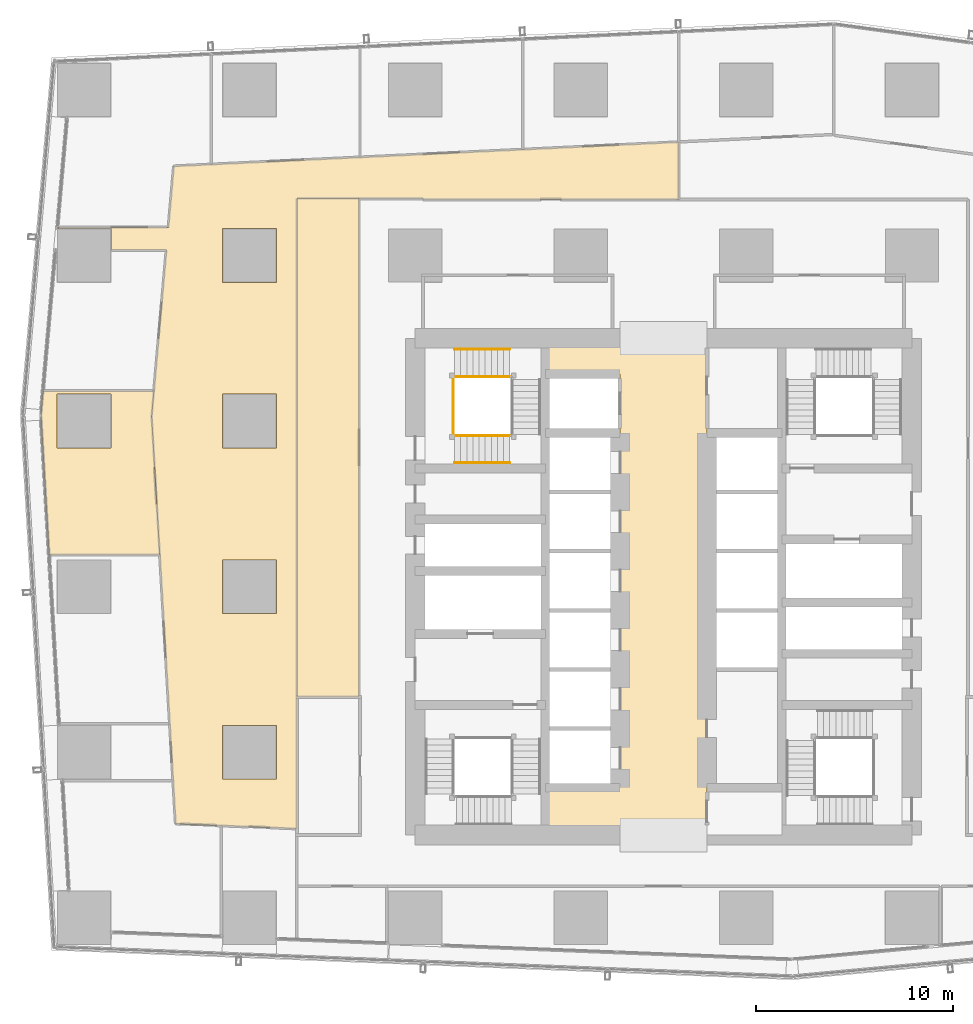
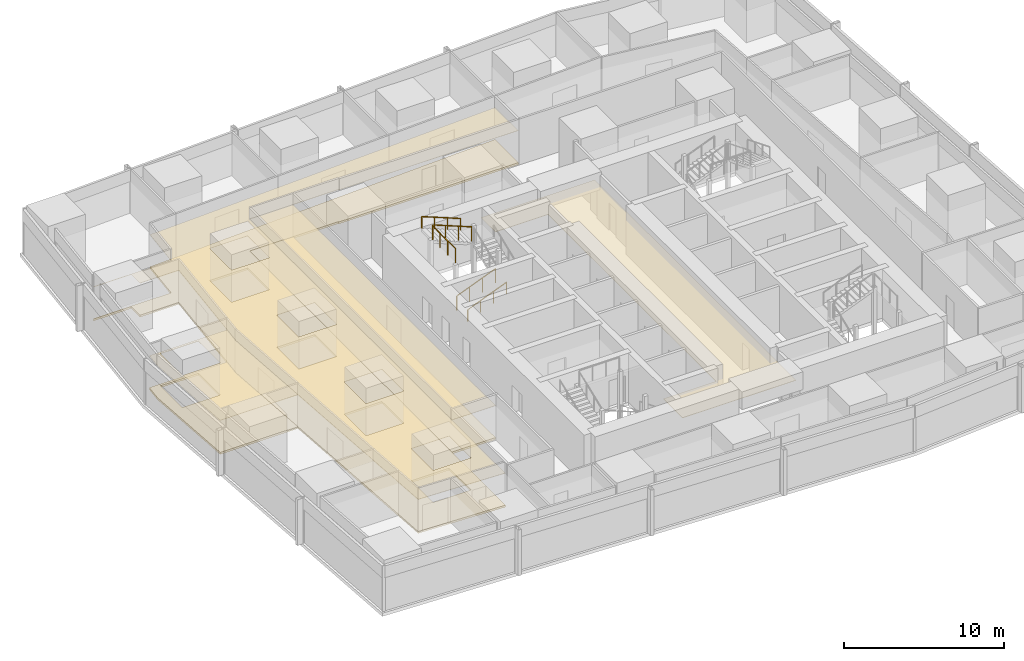
# One storey, part 30 of 36: 7 coverings, 5 railings.
"""IFC4 building model written with IfcOpenShell, lengths in metres."""

from ifc_helpers import new_model, si_unit, direction, frame, origin, origin_2d, place, context, subcontext, project, spatial, polyline, circle, outline, extrude, material, layer, layer_set, type_object, element, save


model = new_model("IFC4")

# Units and contexts
model_context = context("Model", 3, precision=1e-05, world=origin(), true_north=direction((0.0, 1.0)))
body_context = subcontext(model_context, "Body", "Model", "MODEL_VIEW")
ifc_project = project(units=[si_unit("LENGTHUNIT", "METRE"), si_unit("AREAUNIT", "SQUARE_METRE"), si_unit("VOLUMEUNIT", "CUBIC_METRE"), si_unit("PLANEANGLEUNIT", "RADIAN"), si_unit("MASSUNIT", "GRAM", prefix="KILO")], contexts=[model_context])

# Site, building, storey
site_placement = place(None, origin())
site = spatial("IfcSite", under=ifc_project, at=site_placement, CompositionType="ELEMENT")
building_placement = place(site_placement, origin())
building = spatial("IfcBuilding", under=site, at=building_placement, Name="Rekha Terrace Tower", CompositionType="ELEMENT")
storey_placement = place(building_placement, frame((0.0, 0.0, 172.699951171875)))
storey = spatial("IfcBuildingStorey", under=building, at=storey_placement, Name="L43", CompositionType="ELEMENT", Elevation=172.699951171875)

# Coverings
ifc_material_1 = material(Name="Mineral fibre tile in exposed grid", Category="finish")
ifc_layer_1 = layer(ifc_material_1, 0.02001953125)
ifc_layer_set_1 = layer_set([ifc_layer_1], Name="Mineral fibre tile in exposed grid")
covering_type_1 = type_object("IfcCoveringType", Name="CL1 600x1200 office grid ceiling", PredefinedType="CEILING", material=ifc_layer_set_1)
covering_1_placement = place(storey_placement, frame((0.0, 0.0, 2.580078125)))
element("IfcCovering", 1, at=covering_1_placement, inside=storey, type_object=covering_type_1, Name="Ceiling L43-14", PredefinedType="CEILING", context=body_context, shape_type="SweptSolid", body=[
    extrude(outline(polyline([(6.212890625, 42.31396484375), (6.631103515625, 35.208984375), (12.240966796875, 35.208984375), (11.827880859375, 42.23193359375), (11.943115234375, 43.5400390625), (6.321044921875, 43.5400390625), (6.212890625, 42.31396484375)]), holes=[polyline([(9.764892578125, 40.635009765625), (7.034912109375, 40.635009765625), (7.034912109375, 43.364990234375), (9.764892578125, 43.364990234375), (9.764892578125, 40.635009765625)])]), origin(), (0.0, 0.0, 1.0), 0.02001953125),
])
covering_2_placement = place(storey_placement, frame((0.0, 0.0, 2.580078125)))
element("IfcCovering", 2, at=covering_2_placement, inside=storey, type_object=covering_type_1, Name="Ceiling L43-20", PredefinedType="CEILING", context=body_context, shape_type="SweptSolid", body=[
    extrude(outline(polyline([(19.199951171875, 53.300048828125), (19.199951171875, 28.0), (22.35009765625, 28.0), (22.35009765625, 53.300048828125), (19.199951171875, 53.300048828125)])), origin(), (0.0, 0.0, 1.0), 0.02001953125),
])
covering_3_placement = place(storey_placement, frame((0.0, 0.0, 2.580078125)))
element("IfcCovering", 3, at=covering_3_placement, inside=storey, type_object=covering_type_1, Name="Ceiling L43-O1b", PredefinedType="CEILING", context=body_context, shape_type="SweptSolid", body=[
    extrude(outline(polyline([(12.572998046875, 50.672119140625), (11.943115234375, 43.5400390625), (11.827880859375, 42.23193359375), (12.241943359375, 35.193115234375), (12.748046875, 26.592041015625), (12.9140625, 23.777099609375), (13.0439453125, 21.56396484375), (15.39306640625, 21.470947265625), (15.39306640625, 21.469970703125), (19.199951171875, 21.319091796875), (19.199951171875, 53.300048828125), (25.60009765625, 53.300048828125), (25.60009765625, 53.25), (38.570068359375, 53.25), (38.570068359375, 56.1640625), (30.64599609375, 55.784912109375), (22.385009765625, 55.39111328125), (14.826904296875, 55.029052734375), (12.949951171875, 54.93994140625), (12.673095703125, 51.81103515625), (7.052001953125, 51.81103515625), (7.048095703125, 51.764892578125), (9.764892578125, 51.764892578125), (9.764892578125, 50.672119140625), (12.572998046875, 50.672119140625)]), holes=[polyline([(18.1650390625, 23.8349609375), (15.43505859375, 23.8349609375), (15.43505859375, 26.56494140625), (18.1650390625, 26.56494140625), (18.1650390625, 23.8349609375)]), polyline([(18.1650390625, 32.235107421875), (15.43505859375, 32.235107421875), (15.43505859375, 34.965087890625), (18.1650390625, 34.965087890625), (18.1650390625, 32.235107421875)]), polyline([(18.1650390625, 43.364990234375), (18.1650390625, 40.635009765625), (15.43505859375, 40.635009765625), (15.43505859375, 43.364990234375), (18.1650390625, 43.364990234375)]), polyline([(18.1650390625, 51.764892578125), (18.1650390625, 49.034912109375), (15.43505859375, 49.034912109375), (15.43505859375, 51.764892578125), (18.1650390625, 51.764892578125)])]), origin(), (0.0, 0.0, 1.0), 0.02001953125),
])
ifc_material_2 = material(Name="Powder-coated aluminium pan", Category="aluminium")
ifc_layer_2 = layer(ifc_material_2, 0.030029296875)
ifc_layer_set_2 = layer_set([ifc_layer_2], Name="Powder-coated aluminium pan")
covering_type_2 = type_object("IfcCoveringType", Name="CL3 300x1200 metal pan ceiling", PredefinedType="CEILING", material=ifc_layer_set_2)
covering_4_placement = place(storey_placement, frame((0.0, 0.0, 2.570068359375)))
element("IfcCovering", 4, at=covering_4_placement, inside=storey, type_object=covering_type_2, Name="Ceiling L43-LOBBY", PredefinedType="CEILING", context=body_context, shape_type="SweptSolid", body=[
    extrude(outline(polyline([(35.60009765625, 44.39990234375), (35.60009765625, 23.39990234375), (31.800048828125, 23.39990234375), (31.800048828125, 21.0), (40.0, 21.0), (40.0, 46.199951171875), (31.800048828125, 46.199951171875), (31.800048828125, 44.39990234375), (35.60009765625, 44.39990234375)])), origin(), (0.0, 0.0, 1.0), 0.030029296875),
])

# Railings
ifc_material_3 = material(Name="Stainless steel balustrade", Category="steel")
railing_type_1 = type_object("IfcRailingType", Name="GR1 1100 stair guard", PredefinedType="GUARDRAIL", material=ifc_material_3)
railing_1_placement = place(storey_placement, frame((27.199951171875, 41.264892578125, 0.125)))
element("IfcRailing", 5, at=railing_1_placement, inside=storey, type_object=railing_type_1, Name="Guard ST4 L43 flight 1", PredefinedType="GUARDRAIL", context=body_context, shape_type="SweptSolid", body=[
    extrude(circle(Radius=0.02392578125, at=origin_2d()), frame((0.0, 0.0, 1.076171875), z_axis=(0.927443287984, 0.0, 0.373963831907), x_axis=(0.0, 1.0, 0.0)), (0.0, 0.0, 1.0), 3.00830078125),
    extrude(circle(Radius=0.02099609375, at=origin_2d()), origin(), (0.0, 0.0, 1.0), 1.052001953125),
    extrude(circle(Radius=0.02099609375, at=origin_2d()), frame((0.929931640625, 0.0, 0.375)), (0.0, 0.0, 1.0), 1.052001953125),
    extrude(circle(Radius=0.02099609375, at=origin_2d()), frame((1.860107421875, 0.0, 0.75)), (0.0, 0.0, 1.0), 1.052001953125),
    extrude(circle(Radius=0.02099609375, at=origin_2d()), frame((2.7900390625, 0.0, 1.125)), (0.0, 0.0, 1.0), 1.052001953125),
])
railing_2_placement = place(storey_placement, frame((29.989990234375, 44.260009765625, 2.625)))
element("IfcRailing", 6, at=railing_2_placement, inside=storey, type_object=railing_type_1, Name="Guard ST4 L43 flight 3", PredefinedType="GUARDRAIL", context=body_context, shape_type="SweptSolid", body=[
    extrude(circle(Radius=0.02392578125, at=origin_2d()), frame((0.0, 0.0, 1.076171875), z_axis=(-0.927443287984, 0.0, 0.373963831907), x_axis=(0.0, -1.0, 0.0)), (0.0, 0.0, 1.0), 3.00830078125),
    extrude(circle(Radius=0.02099609375, at=origin_2d()), origin(), (0.0, 0.0, 1.0), 1.052001953125),
    extrude(circle(Radius=0.02099609375, at=origin_2d()), frame((-0.929931640625, 0.0, 0.375)), (0.0, 0.0, 1.0), 1.052001953125),
    extrude(circle(Radius=0.02099609375, at=origin_2d()), frame((-1.860107421875, 0.0, 0.75)), (0.0, 0.0, 1.0), 1.052001953125),
    extrude(circle(Radius=0.02099609375, at=origin_2d()), frame((-2.7900390625, 0.0, 1.125)), (0.0, 0.0, 1.0), 1.052001953125),
])
railing_3_placement = place(storey_placement, frame((27.139892578125, 41.324951171875, 3.75)))
element("IfcRailing", 7, at=railing_3_placement, inside=storey, type_object=railing_type_1, Name="Guard ST4 L43 landing 4", PredefinedType="GUARDRAIL", context=body_context, shape_type="SweptSolid", body=[
    extrude(circle(Radius=0.02392578125, at=origin_2d()), frame((0.0, 0.0, 1.076171875), z_axis=(0.0, 1.0, 0.0), x_axis=(-1.0, 0.0, 0.0)), (0.0, 0.0, 1.0), 2.875),
    extrude(circle(Radius=0.02099609375, at=origin_2d()), origin(), (0.0, 0.0, 1.0), 1.052001953125),
    extrude(circle(Radius=0.02099609375, at=origin_2d()), frame((0.0, 0.958251953125, 0.0)), (0.0, 0.0, 1.0), 1.052001953125),
    extrude(circle(Radius=0.02099609375, at=origin_2d()), frame((0.0, 1.916748046875, 0.0)), (0.0, 0.0, 1.0), 1.052001953125),
    extrude(circle(Radius=0.02099609375, at=origin_2d()), frame((0.0, 2.875, 0.0)), (0.0, 0.0, 1.0), 1.052001953125),
])
ifc_material_4 = material(Name="Stainless steel tube", Category="steel")
railing_type_2 = type_object("IfcRailingType", Name="HR1 900 stair handrail", PredefinedType="HANDRAIL", material=ifc_material_4)
railing_4_placement = place(storey_placement, frame((27.199951171875, 39.885009765625, 0.125)))
element("IfcRailing", 8, at=railing_4_placement, inside=storey, type_object=railing_type_2, Name="Handrail ST4 L43 flight 1", PredefinedType="HANDRAIL", context=body_context, shape_type="SweptSolid", body=[
    extrude(circle(Radius=0.02392578125, at=origin_2d()), frame((0.0, 0.0, 0.8759765625), z_axis=(0.927443287984, 0.0, 0.373963831907), x_axis=(0.0, 1.0, 0.0)), (0.0, 0.0, 1.0), 3.00830078125),
    extrude(circle(Radius=0.02099609375, at=origin_2d()), origin(), (0.0, 0.0, 1.0), 0.851806640625),
    extrude(circle(Radius=0.02099609375, at=origin_2d()), frame((0.929931640625, 0.0, 0.375)), (0.0, 0.0, 1.0), 0.851806640625),
    extrude(circle(Radius=0.02099609375, at=origin_2d()), frame((1.860107421875, 0.0, 0.75)), (0.0, 0.0, 1.0), 0.851806640625),
    extrude(circle(Radius=0.02099609375, at=origin_2d()), frame((2.7900390625, 0.0, 1.125)), (0.0, 0.0, 1.0), 0.851806640625),
])
railing_5_placement = place(storey_placement, frame((29.989990234375, 45.639892578125, 2.625)))
element("IfcRailing", 9, at=railing_5_placement, inside=storey, type_object=railing_type_2, Name="Handrail ST4 L43 flight 3", PredefinedType="HANDRAIL", context=body_context, shape_type="SweptSolid", body=[
    extrude(circle(Radius=0.02392578125, at=origin_2d()), frame((0.0, 0.0, 0.8759765625), z_axis=(-0.927443287984, 0.0, 0.373963831907), x_axis=(0.0, -1.0, 0.0)), (0.0, 0.0, 1.0), 3.00830078125),
    extrude(circle(Radius=0.02099609375, at=origin_2d()), origin(), (0.0, 0.0, 1.0), 0.851806640625),
    extrude(circle(Radius=0.02099609375, at=origin_2d()), frame((-0.929931640625, 0.0, 0.375)), (0.0, 0.0, 1.0), 0.851806640625),
    extrude(circle(Radius=0.02099609375, at=origin_2d()), frame((-1.860107421875, 0.0, 0.75)), (0.0, 0.0, 1.0), 0.851806640625),
    extrude(circle(Radius=0.02099609375, at=origin_2d()), frame((-2.7900390625, 0.0, 1.125)), (0.0, 0.0, 1.0), 0.851806640625),
])

# Coverings
ifc_material_5 = material(Name="Calcium sulphate panels on steel pedestals", Category="steel")
ifc_layer_3 = layer(ifc_material_5, 0.14990234375)
ifc_layer_set_3 = layer_set([ifc_layer_3], Name="Calcium sulphate panels on steel pedestals")
covering_type_3 = type_object("IfcCoveringType", Name="RF1 150 raised access floor", PredefinedType="FLOORING", material=ifc_layer_set_3)
covering_5_placement = place(storey_placement, origin())
element("IfcCovering", 10, at=covering_5_placement, inside=storey, type_object=covering_type_3, Name="Raised floor L43-14", PredefinedType="FLOORING", context=body_context, shape_type="SweptSolid", body=[
    extrude(outline(polyline([(6.212890625, 42.31396484375), (6.631103515625, 35.208984375), (12.240966796875, 35.208984375), (11.827880859375, 42.23193359375), (11.943115234375, 43.5400390625), (6.321044921875, 43.5400390625), (6.212890625, 42.31396484375)]), holes=[polyline([(9.764892578125, 40.635009765625), (7.034912109375, 40.635009765625), (7.034912109375, 43.364990234375), (9.764892578125, 43.364990234375), (9.764892578125, 40.635009765625)])]), origin(), (0.0, 0.0, 1.0), 0.150146484375),
])
covering_6_placement = place(storey_placement, origin())
element("IfcCovering", 11, at=covering_6_placement, inside=storey, type_object=covering_type_3, Name="Raised floor L43-20", PredefinedType="FLOORING", context=body_context, shape_type="SweptSolid", body=[
    extrude(outline(polyline([(19.199951171875, 53.300048828125), (19.199951171875, 28.0), (22.35009765625, 28.0), (22.35009765625, 53.300048828125), (19.199951171875, 53.300048828125)])), origin(), (0.0, 0.0, 1.0), 0.150146484375),
])
covering_7_placement = place(storey_placement, origin())
element("IfcCovering", 12, at=covering_7_placement, inside=storey, type_object=covering_type_3, Name="Raised floor L43-O1b", PredefinedType="FLOORING", context=body_context, shape_type="SweptSolid", body=[
    extrude(outline(polyline([(12.572998046875, 50.672119140625), (11.943115234375, 43.5400390625), (11.827880859375, 42.23193359375), (12.241943359375, 35.193115234375), (12.748046875, 26.592041015625), (12.9140625, 23.777099609375), (13.0439453125, 21.56396484375), (15.39306640625, 21.470947265625), (15.39306640625, 21.469970703125), (19.199951171875, 21.319091796875), (19.199951171875, 53.300048828125), (25.60009765625, 53.300048828125), (25.60009765625, 53.25), (38.570068359375, 53.25), (38.570068359375, 56.1640625), (30.64599609375, 55.784912109375), (22.385009765625, 55.39111328125), (14.826904296875, 55.029052734375), (12.949951171875, 54.93994140625), (12.673095703125, 51.81103515625), (7.052001953125, 51.81103515625), (7.048095703125, 51.764892578125), (9.764892578125, 51.764892578125), (9.764892578125, 50.672119140625), (12.572998046875, 50.672119140625)]), holes=[polyline([(18.1650390625, 23.8349609375), (15.43505859375, 23.8349609375), (15.43505859375, 26.56494140625), (18.1650390625, 26.56494140625), (18.1650390625, 23.8349609375)]), polyline([(18.1650390625, 32.235107421875), (15.43505859375, 32.235107421875), (15.43505859375, 34.965087890625), (18.1650390625, 34.965087890625), (18.1650390625, 32.235107421875)]), polyline([(18.1650390625, 43.364990234375), (18.1650390625, 40.635009765625), (15.43505859375, 40.635009765625), (15.43505859375, 43.364990234375), (18.1650390625, 43.364990234375)]), polyline([(18.1650390625, 51.764892578125), (18.1650390625, 49.034912109375), (15.43505859375, 49.034912109375), (15.43505859375, 51.764892578125), (18.1650390625, 51.764892578125)])]), origin(), (0.0, 0.0, 1.0), 0.150146484375),
])

save(model, "model.ifc")
